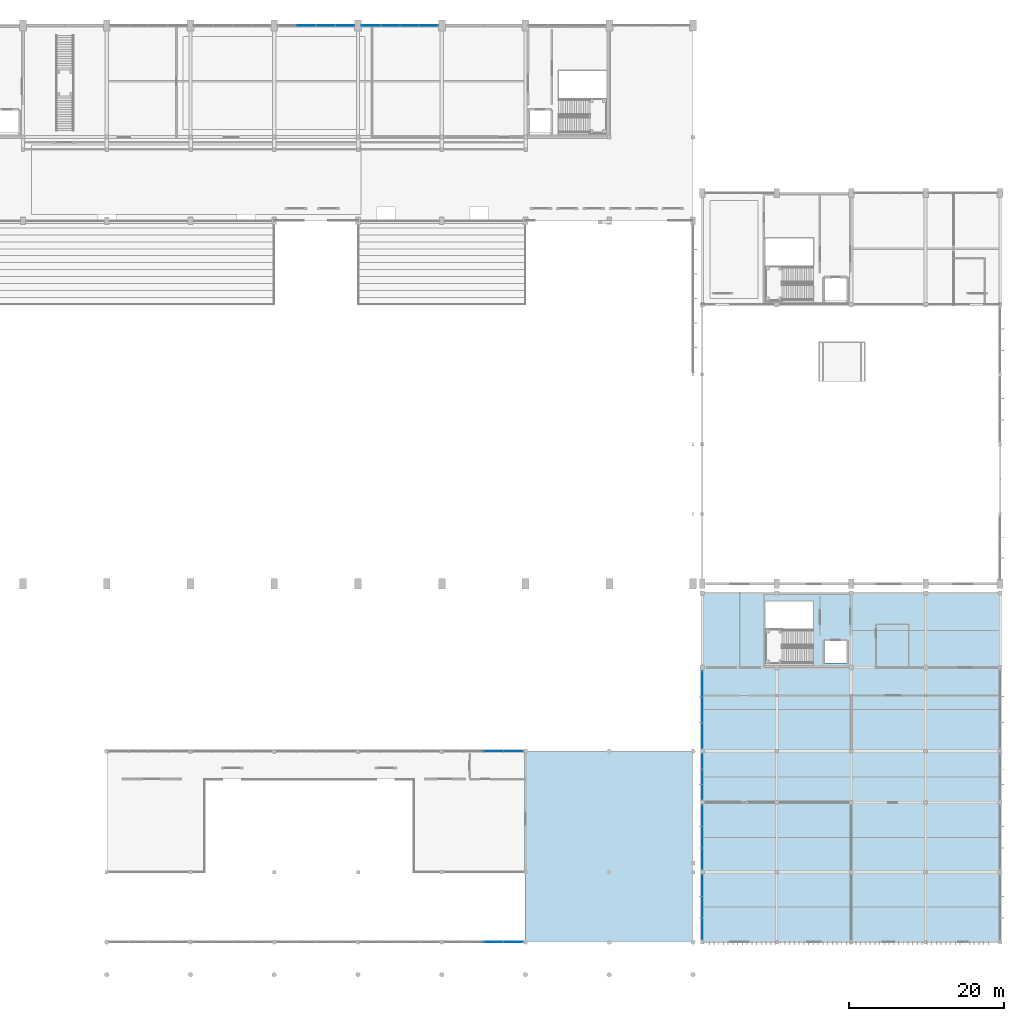
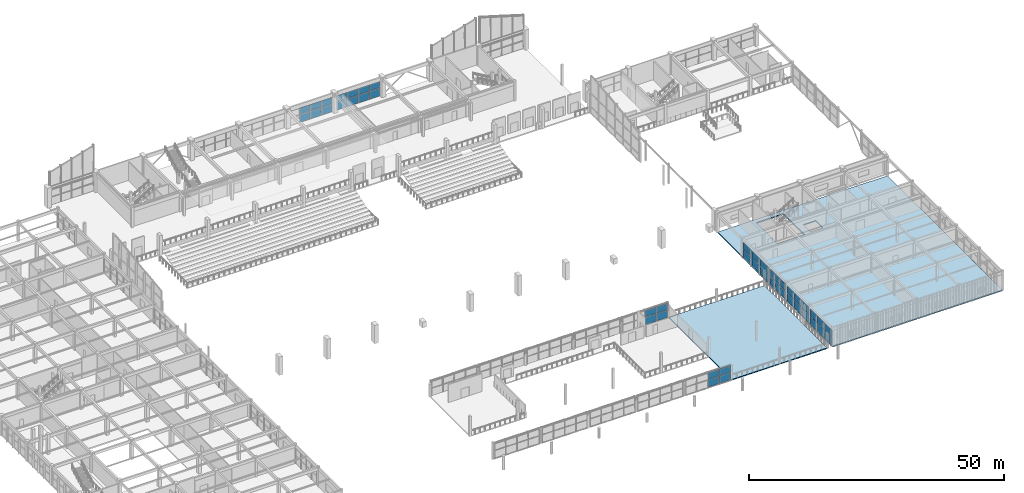
# One storey, part 44 of 74: 46 plates, 2 slabs, 8 elements without a shape of their own.
"""IFC4 building model written with IfcOpenShell, lengths in metres."""

from ifc_helpers import new_model, si_unit, direction, frame, origin, place, context, subcontext, project, spatial, polyline, outline, extrude, material, layer, layer_set, type_object, element, aggregate, save


model = new_model("IFC4")

# Units and contexts
model_context = context("Model", 3, precision=1e-05, world=origin(), true_north=direction((0.0, 1.0)))
body_context = subcontext(model_context, "Body", "Model", "MODEL_VIEW")
ifc_project = project(units=[si_unit("LENGTHUNIT", "METRE"), si_unit("AREAUNIT", "SQUARE_METRE"), si_unit("VOLUMEUNIT", "CUBIC_METRE"), si_unit("PLANEANGLEUNIT", "RADIAN"), si_unit("MASSUNIT", "GRAM", prefix="KILO")], contexts=[model_context])

# Site, building, storey
site_placement = place(None, origin())
site = spatial("IfcSite", under=ifc_project, at=site_placement, CompositionType="ELEMENT")
building_placement = place(site_placement, origin())
building = spatial("IfcBuilding", under=site, at=building_placement, Name="Suirenkawa Promenade Aquatics Centre", CompositionType="ELEMENT")
storey_placement = place(building_placement, frame((0.0, 0.0, 4.800048828125)))
storey = spatial("IfcBuildingStorey", under=building, at=storey_placement, Name="L01", CompositionType="ELEMENT", Elevation=4.800048828125)

# Curtain wall, plates
ifc_material_1 = material(Name="Anodised aluminium 6063-T6", Category="aluminium")
curtain_wall_type_1 = type_object("IfcCurtainWallType", Name="CWAT-V3SL1-24", PredefinedType="NOTDEFINED", material=ifc_material_1)
curtain_wall_1_placement = place(storey_placement, origin())
curtain_wall_1 = element("IfcCurtainWall", 1, at=curtain_wall_1_placement, inside=storey, type_object=curtain_wall_type_1, Name="Curtain wall CWA-24 CW-065", PredefinedType="NOTDEFINED")
ifc_material_2 = material(Name="Low-E thermally broken double glazing", Category="glass")
ifc_layer_1 = layer(ifc_material_2, 0.0419921875, Name="Low-E thermally broken double glazing", Category="glass")
ifc_layer_set_1 = layer_set([ifc_layer_1], Name="Low-E thermally broken double glazing")
plate_type_1 = type_object("IfcPlateType", Name="CWP-FOYER-42", PredefinedType="CURTAIN_PANEL", material=ifc_layer_set_1)
plate_1_placement = place(storey_placement, frame((132.90087890625, 4.199951171875, 0.0400390625), z_axis=(0.0, 0.0, 1.0), x_axis=(-1.0, 0.0, 0.0)))
plate_1 = element("IfcPlate", 2, at=plate_1_placement, type_object=plate_type_1, Name="Glazed panel CP-04 CWP-01313", PredefinedType="CURTAIN_PANEL", context=body_context, shape_type="SweptSolid", body=[
    extrude(outline(polyline([(0.0400390625, 0.0), (2.510498046875, 0.0), (2.510498046875, 1.81982421875), (0.0400390625, 1.81982421875), (0.0400390625, 0.0)])), frame((0.0, 0.02099609375, 0.0), z_axis=(0.0, -1.0, 0.0), x_axis=(1.0, 0.0, 0.0)), (0.0, 0.0, 1.0), 0.0419921875),
])
plate_2_placement = place(storey_placement, frame((132.90087890625, 4.199951171875, 1.93994140625), z_axis=(0.0, 0.0, 1.0), x_axis=(-1.0, 0.0, 0.0)))
plate_2 = element("IfcPlate", 3, at=plate_2_placement, type_object=plate_type_1, Name="Top glazed panel CP-04 CWP-01314", PredefinedType="CURTAIN_PANEL", context=body_context, shape_type="SweptSolid", body=[
    extrude(outline(polyline([(0.0400390625, 0.0), (2.510498046875, 0.0), (2.510498046875, 1.5400390625), (0.0400390625, 1.5400390625), (0.0400390625, 0.0)])), frame((0.0, 0.02099609375, 0.0), z_axis=(0.0, -1.0, 0.0), x_axis=(1.0, 0.0, 0.0)), (0.0, 0.0, 1.0), 0.0419921875),
])
plate_3_placement = place(storey_placement, frame((130.3505859375, 4.199951171875, 0.0400390625), z_axis=(0.0, 0.0, 1.0), x_axis=(-1.0, 0.0, 0.0)))
plate_3 = element("IfcPlate", 4, at=plate_3_placement, type_object=plate_type_1, Name="Glazed panel CP-04 CWP-01315", PredefinedType="CURTAIN_PANEL", context=body_context, shape_type="SweptSolid", body=[
    extrude(outline(polyline([(0.0400390625, 0.0), (2.510498046875, 0.0), (2.510498046875, 1.81982421875), (0.0400390625, 1.81982421875), (0.0400390625, 0.0)])), frame((0.0, 0.02099609375, 0.0), z_axis=(0.0, -1.0, 0.0), x_axis=(1.0, 0.0, 0.0)), (0.0, 0.0, 1.0), 0.0419921875),
])
plate_4_placement = place(storey_placement, frame((130.3505859375, 4.199951171875, 1.93994140625), z_axis=(0.0, 0.0, 1.0), x_axis=(-1.0, 0.0, 0.0)))
plate_4 = element("IfcPlate", 5, at=plate_4_placement, type_object=plate_type_1, Name="Top glazed panel CP-04 CWP-01316", PredefinedType="CURTAIN_PANEL", context=body_context, shape_type="SweptSolid", body=[
    extrude(outline(polyline([(0.0400390625, 0.0), (2.510498046875, 0.0), (2.510498046875, 1.5400390625), (0.0400390625, 1.5400390625), (0.0400390625, 0.0)])), frame((0.0, 0.02099609375, 0.0), z_axis=(0.0, -1.0, 0.0), x_axis=(1.0, 0.0, 0.0)), (0.0, 0.0, 1.0), 0.0419921875),
])
aggregate(curtain_wall_1, [plate_1, plate_2, plate_3, plate_4])

curtain_wall_type_2 = type_object("IfcCurtainWallType", Name="CWAT-V3NL1-25", PredefinedType="NOTDEFINED", material=ifc_material_1)
curtain_wall_2_placement = place(storey_placement, origin())
curtain_wall_2 = element("IfcCurtainWall", 6, at=curtain_wall_2_placement, inside=storey, type_object=curtain_wall_type_2, Name="Curtain wall CWA-25 CW-066", PredefinedType="NOTDEFINED")
plate_5_placement = place(storey_placement, frame((127.800048828125, 28.800048828125, 0.0400390625), z_axis=(0.0, 0.0, 1.0), x_axis=(1.0, 0.0, 0.0)))
plate_5 = element("IfcPlate", 7, at=plate_5_placement, type_object=plate_type_1, Name="Glazed panel CP-04 CWP-01339", PredefinedType="CURTAIN_PANEL", context=body_context, shape_type="SweptSolid", body=[
    extrude(outline(polyline([(0.0400390625, 0.0), (2.510498046875, 0.0), (2.510498046875, 1.81982421875), (0.0400390625, 1.81982421875), (0.0400390625, 0.0)])), frame((0.0, 0.02099609375, 0.0), z_axis=(0.0, -1.0, 0.0), x_axis=(1.0, 0.0, 0.0)), (0.0, 0.0, 1.0), 0.0419921875),
])
plate_6_placement = place(storey_placement, frame((127.800048828125, 28.800048828125, 1.93994140625), z_axis=(0.0, 0.0, 1.0), x_axis=(1.0, 0.0, 0.0)))
plate_6 = element("IfcPlate", 8, at=plate_6_placement, type_object=plate_type_1, Name="Top glazed panel CP-04 CWP-01340", PredefinedType="CURTAIN_PANEL", context=body_context, shape_type="SweptSolid", body=[
    extrude(outline(polyline([(0.0400390625, 0.0), (2.510498046875, 0.0), (2.510498046875, 1.5400390625), (0.0400390625, 1.5400390625), (0.0400390625, 0.0)])), frame((0.0, 0.02099609375, 0.0), z_axis=(0.0, -1.0, 0.0), x_axis=(1.0, 0.0, 0.0)), (0.0, 0.0, 1.0), 0.0419921875),
])
plate_7_placement = place(storey_placement, frame((130.3505859375, 28.800048828125, 0.0400390625), z_axis=(0.0, 0.0, 1.0), x_axis=(1.0, 0.0, 0.0)))
plate_7 = element("IfcPlate", 9, at=plate_7_placement, type_object=plate_type_1, Name="Glazed panel CP-04 CWP-01341", PredefinedType="CURTAIN_PANEL", context=body_context, shape_type="SweptSolid", body=[
    extrude(outline(polyline([(0.0400390625, 0.0), (2.510498046875, 0.0), (2.510498046875, 1.81982421875), (0.0400390625, 1.81982421875), (0.0400390625, 0.0)])), frame((0.0, 0.02099609375, 0.0), z_axis=(0.0, -1.0, 0.0), x_axis=(1.0, 0.0, 0.0)), (0.0, 0.0, 1.0), 0.0419921875),
])
plate_8_placement = place(storey_placement, frame((130.3505859375, 28.800048828125, 1.93994140625), z_axis=(0.0, 0.0, 1.0), x_axis=(1.0, 0.0, 0.0)))
plate_8 = element("IfcPlate", 10, at=plate_8_placement, type_object=plate_type_1, Name="Top glazed panel CP-04 CWP-01342", PredefinedType="CURTAIN_PANEL", context=body_context, shape_type="SweptSolid", body=[
    extrude(outline(polyline([(0.0400390625, 0.0), (2.510498046875, 0.0), (2.510498046875, 1.5400390625), (0.0400390625, 1.5400390625), (0.0400390625, 0.0)])), frame((0.0, 0.02099609375, 0.0), z_axis=(0.0, -1.0, 0.0), x_axis=(1.0, 0.0, 0.0)), (0.0, 0.0, 1.0), 0.0419921875),
])
aggregate(curtain_wall_2, [plate_5, plate_6, plate_7, plate_8])

curtain_wall_type_3 = type_object("IfcCurtainWallType", Name="CWAT-V1CONC-11", PredefinedType="NOTDEFINED", material=ifc_material_1)
curtain_wall_3_placement = place(storey_placement, origin())
curtain_wall_3 = element("IfcCurtainWall", 11, at=curtain_wall_3_placement, inside=storey, type_object=curtain_wall_type_3, Name="Curtain wall CWA-11 CW-024", PredefinedType="NOTDEFINED")
ifc_layer_2 = layer(ifc_material_2, 0.028076171875, Name="Low-E thermally broken double glazing", Category="glass")
ifc_layer_set_2 = layer_set([ifc_layer_2], Name="Low-E thermally broken double glazing")
plate_type_2 = type_object("IfcPlateType", Name="CWP-LOWE-28", PredefinedType="CURTAIN_PANEL", material=ifc_layer_set_2)
plate_9_placement = place(storey_placement, frame((103.724609375, 122.39990234375, 0.0400390625), z_axis=(0.0, 0.0, 1.0), x_axis=(1.0, 0.0, 0.0)))
plate_9 = element("IfcPlate", 12, at=plate_9_placement, type_object=plate_type_2, Name="Glazed panel CP-02 CWP-00515", PredefinedType="CURTAIN_PANEL", context=body_context, shape_type="SweptSolid", body=[
    extrude(outline(polyline([(0.0400390625, 0.0), (2.435546875, 0.0), (2.435546875, 1.919921875), (0.0400390625, 1.919921875), (0.0400390625, 0.0)])), frame((0.0, 0.01416015625, 0.0), z_axis=(0.0, -1.0, 0.0), x_axis=(1.0, 0.0, 0.0)), (0.0, 0.0, 1.0), 0.028076171875),
])
plate_10_placement = place(storey_placement, frame((103.724609375, 122.39990234375, 2.0400390625), z_axis=(0.0, 0.0, 1.0), x_axis=(1.0, 0.0, 0.0)))
plate_10 = element("IfcPlate", 13, at=plate_10_placement, type_object=plate_type_2, Name="Top glazed panel CP-02 CWP-00516", PredefinedType="CURTAIN_PANEL", context=body_context, shape_type="SweptSolid", body=[
    extrude(outline(polyline([(0.0400390625, 0.0), (2.435546875, 0.0), (2.435546875, 1.52490234375), (0.0400390625, 1.52490234375), (0.0400390625, 0.0)])), frame((0.0, 0.01416015625, 0.0), z_axis=(0.0, -1.0, 0.0), x_axis=(1.0, 0.0, 0.0)), (0.0, 0.0, 1.0), 0.028076171875),
])
plate_11_placement = place(storey_placement, frame((106.199951171875, 122.39990234375, 0.0400390625), z_axis=(0.0, 0.0, 1.0), x_axis=(1.0, 0.0, 0.0)))
plate_11 = element("IfcPlate", 14, at=plate_11_placement, type_object=plate_type_2, Name="Glazed panel CP-02 CWP-00517", PredefinedType="CURTAIN_PANEL", context=body_context, shape_type="SweptSolid", body=[
    extrude(outline(polyline([(0.0400390625, 0.0), (2.435546875, 0.0), (2.435546875, 1.919921875), (0.0400390625, 1.919921875), (0.0400390625, 0.0)])), frame((0.0, 0.01416015625, 0.0), z_axis=(0.0, -1.0, 0.0), x_axis=(1.0, 0.0, 0.0)), (0.0, 0.0, 1.0), 0.028076171875),
])
plate_12_placement = place(storey_placement, frame((106.199951171875, 122.39990234375, 2.0400390625), z_axis=(0.0, 0.0, 1.0), x_axis=(1.0, 0.0, 0.0)))
plate_12 = element("IfcPlate", 15, at=plate_12_placement, type_object=plate_type_2, Name="Top glazed panel CP-02 CWP-00518", PredefinedType="CURTAIN_PANEL", context=body_context, shape_type="SweptSolid", body=[
    extrude(outline(polyline([(0.0400390625, 0.0), (2.435546875, 0.0), (2.435546875, 1.52490234375), (0.0400390625, 1.52490234375), (0.0400390625, 0.0)])), frame((0.0, 0.01416015625, 0.0), z_axis=(0.0, -1.0, 0.0), x_axis=(1.0, 0.0, 0.0)), (0.0, 0.0, 1.0), 0.028076171875),
])
plate_13_placement = place(storey_placement, frame((108.675537109375, 122.39990234375, 0.0400390625), z_axis=(0.0, 0.0, 1.0), x_axis=(1.0, 0.0, 0.0)))
plate_13 = element("IfcPlate", 16, at=plate_13_placement, type_object=plate_type_2, Name="Glazed panel CP-02 CWP-00519", PredefinedType="CURTAIN_PANEL", context=body_context, shape_type="SweptSolid", body=[
    extrude(outline(polyline([(0.0400390625, 0.0), (2.435546875, 0.0), (2.435546875, 1.919921875), (0.0400390625, 1.919921875), (0.0400390625, 0.0)])), frame((0.0, 0.01416015625, 0.0), z_axis=(0.0, -1.0, 0.0), x_axis=(1.0, 0.0, 0.0)), (0.0, 0.0, 1.0), 0.028076171875),
])
plate_14_placement = place(storey_placement, frame((108.675537109375, 122.39990234375, 2.0400390625), z_axis=(0.0, 0.0, 1.0), x_axis=(1.0, 0.0, 0.0)))
plate_14 = element("IfcPlate", 17, at=plate_14_placement, type_object=plate_type_2, Name="Top glazed panel CP-02 CWP-00520", PredefinedType="CURTAIN_PANEL", context=body_context, shape_type="SweptSolid", body=[
    extrude(outline(polyline([(0.0400390625, 0.0), (2.435546875, 0.0), (2.435546875, 1.52490234375), (0.0400390625, 1.52490234375), (0.0400390625, 0.0)])), frame((0.0, 0.01416015625, 0.0), z_axis=(0.0, -1.0, 0.0), x_axis=(1.0, 0.0, 0.0)), (0.0, 0.0, 1.0), 0.028076171875),
])
aggregate(curtain_wall_3, [plate_9, plate_10, plate_11, plate_12, plate_13, plate_14])

curtain_wall_4_placement = place(storey_placement, origin())
curtain_wall_4 = element("IfcCurtainWall", 18, at=curtain_wall_4_placement, inside=storey, type_object=curtain_wall_type_3, Name="Curtain wall CWA-11 CW-027", PredefinedType="NOTDEFINED")
plate_15_placement = place(storey_placement, frame((112.049072265625, 122.39990234375, 0.0400390625), z_axis=(0.0, 0.0, 1.0), x_axis=(1.0, 0.0, 0.0)))
plate_15 = element("IfcPlate", 19, at=plate_15_placement, type_object=plate_type_2, Name="Glazed panel CP-02 CWP-00573", PredefinedType="CURTAIN_PANEL", context=body_context, shape_type="SweptSolid", body=[
    extrude(outline(polyline([(0.0400390625, 0.0), (2.435546875, 0.0), (2.435546875, 1.919921875), (0.0400390625, 1.919921875), (0.0400390625, 0.0)])), frame((0.0, 0.01416015625, 0.0), z_axis=(0.0, -1.0, 0.0), x_axis=(1.0, 0.0, 0.0)), (0.0, 0.0, 1.0), 0.028076171875),
])
plate_16_placement = place(storey_placement, frame((112.049072265625, 122.39990234375, 2.0400390625), z_axis=(0.0, 0.0, 1.0), x_axis=(1.0, 0.0, 0.0)))
plate_16 = element("IfcPlate", 20, at=plate_16_placement, type_object=plate_type_2, Name="Top glazed panel CP-02 CWP-00574", PredefinedType="CURTAIN_PANEL", context=body_context, shape_type="SweptSolid", body=[
    extrude(outline(polyline([(0.0400390625, 0.0), (2.435546875, 0.0), (2.435546875, 1.52490234375), (0.0400390625, 1.52490234375), (0.0400390625, 0.0)])), frame((0.0, 0.01416015625, 0.0), z_axis=(0.0, -1.0, 0.0), x_axis=(1.0, 0.0, 0.0)), (0.0, 0.0, 1.0), 0.028076171875),
])
plate_17_placement = place(storey_placement, frame((114.5244140625, 122.39990234375, 0.0400390625), z_axis=(0.0, 0.0, 1.0), x_axis=(1.0, 0.0, 0.0)))
plate_17 = element("IfcPlate", 21, at=plate_17_placement, type_object=plate_type_2, Name="Glazed panel CP-02 CWP-00575", PredefinedType="CURTAIN_PANEL", context=body_context, shape_type="SweptSolid", body=[
    extrude(outline(polyline([(0.0400390625, 0.0), (2.435546875, 0.0), (2.435546875, 1.919921875), (0.0400390625, 1.919921875), (0.0400390625, 0.0)])), frame((0.0, 0.01416015625, 0.0), z_axis=(0.0, -1.0, 0.0), x_axis=(1.0, 0.0, 0.0)), (0.0, 0.0, 1.0), 0.028076171875),
])
plate_18_placement = place(storey_placement, frame((114.5244140625, 122.39990234375, 2.0400390625), z_axis=(0.0, 0.0, 1.0), x_axis=(1.0, 0.0, 0.0)))
plate_18 = element("IfcPlate", 22, at=plate_18_placement, type_object=plate_type_2, Name="Top glazed panel CP-02 CWP-00576", PredefinedType="CURTAIN_PANEL", context=body_context, shape_type="SweptSolid", body=[
    extrude(outline(polyline([(0.0400390625, 0.0), (2.435546875, 0.0), (2.435546875, 1.52490234375), (0.0400390625, 1.52490234375), (0.0400390625, 0.0)])), frame((0.0, 0.01416015625, 0.0), z_axis=(0.0, -1.0, 0.0), x_axis=(1.0, 0.0, 0.0)), (0.0, 0.0, 1.0), 0.028076171875),
])
plate_19_placement = place(storey_placement, frame((117.0, 122.39990234375, 0.0400390625), z_axis=(0.0, 0.0, 1.0), x_axis=(1.0, 0.0, 0.0)))
plate_19 = element("IfcPlate", 23, at=plate_19_placement, type_object=plate_type_2, Name="Glazed panel CP-02 CWP-00577", PredefinedType="CURTAIN_PANEL", context=body_context, shape_type="SweptSolid", body=[
    extrude(outline(polyline([(0.0400390625, 0.0), (2.435546875, 0.0), (2.435546875, 1.919921875), (0.0400390625, 1.919921875), (0.0400390625, 0.0)])), frame((0.0, 0.01416015625, 0.0), z_axis=(0.0, -1.0, 0.0), x_axis=(1.0, 0.0, 0.0)), (0.0, 0.0, 1.0), 0.028076171875),
])
plate_20_placement = place(storey_placement, frame((117.0, 122.39990234375, 2.0400390625), z_axis=(0.0, 0.0, 1.0), x_axis=(1.0, 0.0, 0.0)))
plate_20 = element("IfcPlate", 24, at=plate_20_placement, type_object=plate_type_2, Name="Top glazed panel CP-02 CWP-00578", PredefinedType="CURTAIN_PANEL", context=body_context, shape_type="SweptSolid", body=[
    extrude(outline(polyline([(0.0400390625, 0.0), (2.435546875, 0.0), (2.435546875, 1.52490234375), (0.0400390625, 1.52490234375), (0.0400390625, 0.0)])), frame((0.0, 0.01416015625, 0.0), z_axis=(0.0, -1.0, 0.0), x_axis=(1.0, 0.0, 0.0)), (0.0, 0.0, 1.0), 0.028076171875),
])
plate_21_placement = place(storey_placement, frame((119.4755859375, 122.39990234375, 0.0400390625), z_axis=(0.0, 0.0, 1.0), x_axis=(1.0, 0.0, 0.0)))
plate_21 = element("IfcPlate", 25, at=plate_21_placement, type_object=plate_type_2, Name="Glazed panel CP-02 CWP-00579", PredefinedType="CURTAIN_PANEL", context=body_context, shape_type="SweptSolid", body=[
    extrude(outline(polyline([(0.0400390625, 0.0), (2.435546875, 0.0), (2.435546875, 1.919921875), (0.0400390625, 1.919921875), (0.0400390625, 0.0)])), frame((0.0, 0.01416015625, 0.0), z_axis=(0.0, -1.0, 0.0), x_axis=(1.0, 0.0, 0.0)), (0.0, 0.0, 1.0), 0.028076171875),
])
plate_22_placement = place(storey_placement, frame((119.4755859375, 122.39990234375, 2.0400390625), z_axis=(0.0, 0.0, 1.0), x_axis=(1.0, 0.0, 0.0)))
plate_22 = element("IfcPlate", 26, at=plate_22_placement, type_object=plate_type_2, Name="Top glazed panel CP-02 CWP-00580", PredefinedType="CURTAIN_PANEL", context=body_context, shape_type="SweptSolid", body=[
    extrude(outline(polyline([(0.0400390625, 0.0), (2.435546875, 0.0), (2.435546875, 1.52490234375), (0.0400390625, 1.52490234375), (0.0400390625, 0.0)])), frame((0.0, 0.01416015625, 0.0), z_axis=(0.0, -1.0, 0.0), x_axis=(1.0, 0.0, 0.0)), (0.0, 0.0, 1.0), 0.028076171875),
])
aggregate(curtain_wall_4, [plate_15, plate_16, plate_17, plate_18, plate_19, plate_20, plate_21, plate_22])

curtain_wall_type_4 = type_object("IfcCurtainWallType", Name="CWAT-V4WL01-28", PredefinedType="NOTDEFINED", material=ifc_material_1)
curtain_wall_5_placement = place(storey_placement, origin())
curtain_wall_5 = element("IfcCurtainWall", 27, at=curtain_wall_5_placement, inside=storey, type_object=curtain_wall_type_4, Name="Curtain wall CWA-28 CW-071", PredefinedType="NOTDEFINED")
plate_23_placement = place(storey_placement, frame((156.0, 4.4990234375, 0.0400390625), z_axis=(0.0, 0.0, 1.0), x_axis=(0.0, 1.0, 0.0)))
plate_23 = element("IfcPlate", 28, at=plate_23_placement, type_object=plate_type_2, Name="Glazed panel CP-02 CWP-01442", PredefinedType="CURTAIN_PANEL", context=body_context, shape_type="SweptSolid", body=[
    extrude(outline(polyline([(0.0400390625, 0.0), (2.743896484375, 0.0), (2.743896484375, 1.919921875), (0.0400390625, 1.919921875), (0.0400390625, 0.0)])), frame((0.0, 0.01416015625, 0.0), z_axis=(0.0, -1.0, 0.0), x_axis=(1.0, 0.0, 0.0)), (0.0, 0.0, 1.0), 0.028076171875),
])
plate_24_placement = place(storey_placement, frame((156.0, 4.4990234375, 2.0400390625), z_axis=(0.0, 0.0, 1.0), x_axis=(0.0, 1.0, 0.0)))
plate_24 = element("IfcPlate", 29, at=plate_24_placement, type_object=plate_type_2, Name="Top glazed panel CP-02 CWP-01443", PredefinedType="CURTAIN_PANEL", context=body_context, shape_type="SweptSolid", body=[
    extrude(outline(polyline([(0.0400390625, 0.0), (2.743896484375, 0.0), (2.743896484375, 1.639892578125), (0.0400390625, 1.639892578125), (0.0400390625, 0.0)])), frame((0.0, 0.01416015625, 0.0), z_axis=(0.0, -1.0, 0.0), x_axis=(1.0, 0.0, 0.0)), (0.0, 0.0, 1.0), 0.028076171875),
])
plate_25_placement = place(storey_placement, frame((156.0, 7.282958984375, 0.0400390625), z_axis=(0.0, 0.0, 1.0), x_axis=(0.0, 1.0, 0.0)))
plate_25 = element("IfcPlate", 30, at=plate_25_placement, type_object=plate_type_2, Name="Glazed panel CP-02 CWP-01444", PredefinedType="CURTAIN_PANEL", context=body_context, shape_type="SweptSolid", body=[
    extrude(outline(polyline([(0.0400390625, 0.0), (2.743896484375, 0.0), (2.743896484375, 1.919921875), (0.0400390625, 1.919921875), (0.0400390625, 0.0)])), frame((0.0, 0.01416015625, 0.0), z_axis=(0.0, -1.0, 0.0), x_axis=(1.0, 0.0, 0.0)), (0.0, 0.0, 1.0), 0.028076171875),
])
plate_26_placement = place(storey_placement, frame((156.0, 7.282958984375, 2.0400390625), z_axis=(0.0, 0.0, 1.0), x_axis=(0.0, 1.0, 0.0)))
plate_26 = element("IfcPlate", 31, at=plate_26_placement, type_object=plate_type_2, Name="Top glazed panel CP-02 CWP-01445", PredefinedType="CURTAIN_PANEL", context=body_context, shape_type="SweptSolid", body=[
    extrude(outline(polyline([(0.0400390625, 0.0), (2.743896484375, 0.0), (2.743896484375, 1.639892578125), (0.0400390625, 1.639892578125), (0.0400390625, 0.0)])), frame((0.0, 0.01416015625, 0.0), z_axis=(0.0, -1.0, 0.0), x_axis=(1.0, 0.0, 0.0)), (0.0, 0.0, 1.0), 0.028076171875),
])
plate_27_placement = place(storey_placement, frame((156.0, 10.06689453125, 0.0400390625), z_axis=(0.0, 0.0, 1.0), x_axis=(0.0, 1.0, 0.0)))
plate_27 = element("IfcPlate", 32, at=plate_27_placement, type_object=plate_type_2, Name="Glazed panel CP-02 CWP-01446", PredefinedType="CURTAIN_PANEL", context=body_context, shape_type="SweptSolid", body=[
    extrude(outline(polyline([(0.0400390625, 0.0), (2.743896484375, 0.0), (2.743896484375, 1.919921875), (0.0400390625, 1.919921875), (0.0400390625, 0.0)])), frame((0.0, 0.01416015625, 0.0), z_axis=(0.0, -1.0, 0.0), x_axis=(1.0, 0.0, 0.0)), (0.0, 0.0, 1.0), 0.028076171875),
])
plate_28_placement = place(storey_placement, frame((156.0, 10.06689453125, 2.0400390625), z_axis=(0.0, 0.0, 1.0), x_axis=(0.0, 1.0, 0.0)))
plate_28 = element("IfcPlate", 33, at=plate_28_placement, type_object=plate_type_2, Name="Top glazed panel CP-02 CWP-01447", PredefinedType="CURTAIN_PANEL", context=body_context, shape_type="SweptSolid", body=[
    extrude(outline(polyline([(0.0400390625, 0.0), (2.743896484375, 0.0), (2.743896484375, 1.639892578125), (0.0400390625, 1.639892578125), (0.0400390625, 0.0)])), frame((0.0, 0.01416015625, 0.0), z_axis=(0.0, -1.0, 0.0), x_axis=(1.0, 0.0, 0.0)), (0.0, 0.0, 1.0), 0.028076171875),
])
aggregate(curtain_wall_5, [plate_23, plate_24, plate_25, plate_26, plate_27, plate_28])

curtain_wall_type_5 = type_object("IfcCurtainWallType", Name="CWAT-V4WL01-30", PredefinedType="NOTDEFINED", material=ifc_material_1)
curtain_wall_6_placement = place(storey_placement, origin())
curtain_wall_6 = element("IfcCurtainWall", 34, at=curtain_wall_6_placement, inside=storey, type_object=curtain_wall_type_5, Name="Curtain wall CWA-30 CW-073", PredefinedType="NOTDEFINED")
plate_29_placement = place(storey_placement, frame((156.0, 13.549072265625, 0.0400390625), z_axis=(0.0, 0.0, 1.0), x_axis=(0.0, 1.0, 0.0)))
plate_29 = element("IfcPlate", 35, at=plate_29_placement, type_object=plate_type_2, Name="Glazed panel CP-02 CWP-01476", PredefinedType="CURTAIN_PANEL", context=body_context, shape_type="SweptSolid", body=[
    extrude(outline(polyline([(0.0400390625, 0.0), (2.727294921875, 0.0), (2.727294921875, 1.919921875), (0.0400390625, 1.919921875), (0.0400390625, 0.0)])), frame((0.0, 0.01416015625, 0.0), z_axis=(0.0, -1.0, 0.0), x_axis=(1.0, 0.0, 0.0)), (0.0, 0.0, 1.0), 0.028076171875),
])
plate_30_placement = place(storey_placement, frame((156.0, 13.549072265625, 2.0400390625), z_axis=(0.0, 0.0, 1.0), x_axis=(0.0, 1.0, 0.0)))
plate_30 = element("IfcPlate", 36, at=plate_30_placement, type_object=plate_type_2, Name="Top glazed panel CP-02 CWP-01477", PredefinedType="CURTAIN_PANEL", context=body_context, shape_type="SweptSolid", body=[
    extrude(outline(polyline([(0.0400390625, 0.0), (2.727294921875, 0.0), (2.727294921875, 1.639892578125), (0.0400390625, 1.639892578125), (0.0400390625, 0.0)])), frame((0.0, 0.01416015625, 0.0), z_axis=(0.0, -1.0, 0.0), x_axis=(1.0, 0.0, 0.0)), (0.0, 0.0, 1.0), 0.028076171875),
])
plate_31_placement = place(storey_placement, frame((156.0, 16.31640625, 0.0400390625), z_axis=(0.0, 0.0, 1.0), x_axis=(0.0, 1.0, 0.0)))
plate_31 = element("IfcPlate", 37, at=plate_31_placement, type_object=plate_type_2, Name="Glazed panel CP-02 CWP-01478", PredefinedType="CURTAIN_PANEL", context=body_context, shape_type="SweptSolid", body=[
    extrude(outline(polyline([(0.0400390625, 0.0), (2.727294921875, 0.0), (2.727294921875, 1.919921875), (0.0400390625, 1.919921875), (0.0400390625, 0.0)])), frame((0.0, 0.01416015625, 0.0), z_axis=(0.0, -1.0, 0.0), x_axis=(1.0, 0.0, 0.0)), (0.0, 0.0, 1.0), 0.028076171875),
])
plate_32_placement = place(storey_placement, frame((156.0, 16.31640625, 2.0400390625), z_axis=(0.0, 0.0, 1.0), x_axis=(0.0, 1.0, 0.0)))
plate_32 = element("IfcPlate", 38, at=plate_32_placement, type_object=plate_type_2, Name="Top glazed panel CP-02 CWP-01479", PredefinedType="CURTAIN_PANEL", context=body_context, shape_type="SweptSolid", body=[
    extrude(outline(polyline([(0.0400390625, 0.0), (2.727294921875, 0.0), (2.727294921875, 1.639892578125), (0.0400390625, 1.639892578125), (0.0400390625, 0.0)])), frame((0.0, 0.01416015625, 0.0), z_axis=(0.0, -1.0, 0.0), x_axis=(1.0, 0.0, 0.0)), (0.0, 0.0, 1.0), 0.028076171875),
])
plate_33_placement = place(storey_placement, frame((156.0, 19.083740234375, 0.0400390625), z_axis=(0.0, 0.0, 1.0), x_axis=(0.0, 1.0, 0.0)))
plate_33 = element("IfcPlate", 39, at=plate_33_placement, type_object=plate_type_2, Name="Glazed panel CP-02 CWP-01480", PredefinedType="CURTAIN_PANEL", context=body_context, shape_type="SweptSolid", body=[
    extrude(outline(polyline([(0.0400390625, 0.0), (2.727294921875, 0.0), (2.727294921875, 1.919921875), (0.0400390625, 1.919921875), (0.0400390625, 0.0)])), frame((0.0, 0.01416015625, 0.0), z_axis=(0.0, -1.0, 0.0), x_axis=(1.0, 0.0, 0.0)), (0.0, 0.0, 1.0), 0.028076171875),
])
plate_34_placement = place(storey_placement, frame((156.0, 19.083740234375, 2.0400390625), z_axis=(0.0, 0.0, 1.0), x_axis=(0.0, 1.0, 0.0)))
plate_34 = element("IfcPlate", 40, at=plate_34_placement, type_object=plate_type_2, Name="Top glazed panel CP-02 CWP-01481", PredefinedType="CURTAIN_PANEL", context=body_context, shape_type="SweptSolid", body=[
    extrude(outline(polyline([(0.0400390625, 0.0), (2.727294921875, 0.0), (2.727294921875, 1.639892578125), (0.0400390625, 1.639892578125), (0.0400390625, 0.0)])), frame((0.0, 0.01416015625, 0.0), z_axis=(0.0, -1.0, 0.0), x_axis=(1.0, 0.0, 0.0)), (0.0, 0.0, 1.0), 0.028076171875),
])
aggregate(curtain_wall_6, [plate_29, plate_30, plate_31, plate_32, plate_33, plate_34])

curtain_wall_type_6 = type_object("IfcCurtainWallType", Name="CWAT-V4WL01-32", PredefinedType="NOTDEFINED", material=ifc_material_1)
curtain_wall_7_placement = place(storey_placement, origin())
curtain_wall_7 = element("IfcCurtainWall", 41, at=curtain_wall_7_placement, inside=storey, type_object=curtain_wall_type_6, Name="Curtain wall CWA-32 CW-075", PredefinedType="NOTDEFINED")
plate_35_placement = place(storey_placement, frame((156.0, 22.549072265625, 0.0400390625), z_axis=(0.0, 0.0, 1.0), x_axis=(0.0, 1.0, 0.0)))
plate_35 = element("IfcPlate", 42, at=plate_35_placement, type_object=plate_type_2, Name="Glazed panel CP-02 CWP-01510", PredefinedType="CURTAIN_PANEL", context=body_context, shape_type="SweptSolid", body=[
    extrude(outline(polyline([(0.0400390625, 0.0), (1.92724609375, 0.0), (1.92724609375, 1.919921875), (0.0400390625, 1.919921875), (0.0400390625, 0.0)])), frame((0.0, 0.01416015625, 0.0), z_axis=(0.0, -1.0, 0.0), x_axis=(1.0, 0.0, 0.0)), (0.0, 0.0, 1.0), 0.028076171875),
])
plate_36_placement = place(storey_placement, frame((156.0, 22.549072265625, 2.0400390625), z_axis=(0.0, 0.0, 1.0), x_axis=(0.0, 1.0, 0.0)))
plate_36 = element("IfcPlate", 43, at=plate_36_placement, type_object=plate_type_2, Name="Top glazed panel CP-02 CWP-01511", PredefinedType="CURTAIN_PANEL", context=body_context, shape_type="SweptSolid", body=[
    extrude(outline(polyline([(0.0400390625, 0.0), (1.92724609375, 0.0), (1.92724609375, 1.639892578125), (0.0400390625, 1.639892578125), (0.0400390625, 0.0)])), frame((0.0, 0.01416015625, 0.0), z_axis=(0.0, -1.0, 0.0), x_axis=(1.0, 0.0, 0.0)), (0.0, 0.0, 1.0), 0.028076171875),
])
plate_37_placement = place(storey_placement, frame((156.0, 24.516357421875, 0.0400390625), z_axis=(0.0, 0.0, 1.0), x_axis=(0.0, 1.0, 0.0)))
plate_37 = element("IfcPlate", 44, at=plate_37_placement, type_object=plate_type_2, Name="Glazed panel CP-02 CWP-01512", PredefinedType="CURTAIN_PANEL", context=body_context, shape_type="SweptSolid", body=[
    extrude(outline(polyline([(0.0400390625, 0.0), (1.92724609375, 0.0), (1.92724609375, 1.919921875), (0.0400390625, 1.919921875), (0.0400390625, 0.0)])), frame((0.0, 0.01416015625, 0.0), z_axis=(0.0, -1.0, 0.0), x_axis=(1.0, 0.0, 0.0)), (0.0, 0.0, 1.0), 0.028076171875),
])
plate_38_placement = place(storey_placement, frame((156.0, 24.516357421875, 2.0400390625), z_axis=(0.0, 0.0, 1.0), x_axis=(0.0, 1.0, 0.0)))
plate_38 = element("IfcPlate", 45, at=plate_38_placement, type_object=plate_type_2, Name="Top glazed panel CP-02 CWP-01513", PredefinedType="CURTAIN_PANEL", context=body_context, shape_type="SweptSolid", body=[
    extrude(outline(polyline([(0.0400390625, 0.0), (1.92724609375, 0.0), (1.92724609375, 1.639892578125), (0.0400390625, 1.639892578125), (0.0400390625, 0.0)])), frame((0.0, 0.01416015625, 0.0), z_axis=(0.0, -1.0, 0.0), x_axis=(1.0, 0.0, 0.0)), (0.0, 0.0, 1.0), 0.028076171875),
])
plate_39_placement = place(storey_placement, frame((156.0, 26.483642578125, 0.0400390625), z_axis=(0.0, 0.0, 1.0), x_axis=(0.0, 1.0, 0.0)))
plate_39 = element("IfcPlate", 46, at=plate_39_placement, type_object=plate_type_2, Name="Glazed panel CP-02 CWP-01514", PredefinedType="CURTAIN_PANEL", context=body_context, shape_type="SweptSolid", body=[
    extrude(outline(polyline([(0.0400390625, 0.0), (1.92724609375, 0.0), (1.92724609375, 1.919921875), (0.0400390625, 1.919921875), (0.0400390625, 0.0)])), frame((0.0, 0.01416015625, 0.0), z_axis=(0.0, -1.0, 0.0), x_axis=(1.0, 0.0, 0.0)), (0.0, 0.0, 1.0), 0.028076171875),
])
plate_40_placement = place(storey_placement, frame((156.0, 26.483642578125, 2.0400390625), z_axis=(0.0, 0.0, 1.0), x_axis=(0.0, 1.0, 0.0)))
plate_40 = element("IfcPlate", 47, at=plate_40_placement, type_object=plate_type_2, Name="Top glazed panel CP-02 CWP-01515", PredefinedType="CURTAIN_PANEL", context=body_context, shape_type="SweptSolid", body=[
    extrude(outline(polyline([(0.0400390625, 0.0), (1.92724609375, 0.0), (1.92724609375, 1.639892578125), (0.0400390625, 1.639892578125), (0.0400390625, 0.0)])), frame((0.0, 0.01416015625, 0.0), z_axis=(0.0, -1.0, 0.0), x_axis=(1.0, 0.0, 0.0)), (0.0, 0.0, 1.0), 0.028076171875),
])
aggregate(curtain_wall_7, [plate_35, plate_36, plate_37, plate_38, plate_39, plate_40])

curtain_wall_type_7 = type_object("IfcCurtainWallType", Name="CWAT-V4WL01-34", PredefinedType="NOTDEFINED", material=ifc_material_1)
curtain_wall_8_placement = place(storey_placement, origin())
curtain_wall_8 = element("IfcCurtainWall", 48, at=curtain_wall_8_placement, inside=storey, type_object=curtain_wall_type_7, Name="Curtain wall CWA-34 CW-077", PredefinedType="NOTDEFINED")
plate_41_placement = place(storey_placement, frame((156.0, 29.14892578125, 0.0400390625), z_axis=(0.0, 0.0, 1.0), x_axis=(0.0, 1.0, 0.0)))
plate_41 = element("IfcPlate", 49, at=plate_41_placement, type_object=plate_type_2, Name="Glazed panel CP-02 CWP-01544", PredefinedType="CURTAIN_PANEL", context=body_context, shape_type="SweptSolid", body=[
    extrude(outline(polyline([(0.0400390625, 0.0), (3.2939453125, 0.0), (3.2939453125, 1.919921875), (0.0400390625, 1.919921875), (0.0400390625, 0.0)])), frame((0.0, 0.01416015625, 0.0), z_axis=(0.0, -1.0, 0.0), x_axis=(1.0, 0.0, 0.0)), (0.0, 0.0, 1.0), 0.028076171875),
])
plate_42_placement = place(storey_placement, frame((156.0, 29.14892578125, 2.0400390625), z_axis=(0.0, 0.0, 1.0), x_axis=(0.0, 1.0, 0.0)))
plate_42 = element("IfcPlate", 50, at=plate_42_placement, type_object=plate_type_2, Name="Top glazed panel CP-02 CWP-01545", PredefinedType="CURTAIN_PANEL", context=body_context, shape_type="SweptSolid", body=[
    extrude(outline(polyline([(0.0400390625, 0.0), (3.2939453125, 0.0), (3.2939453125, 1.639892578125), (0.0400390625, 1.639892578125), (0.0400390625, 0.0)])), frame((0.0, 0.01416015625, 0.0), z_axis=(0.0, -1.0, 0.0), x_axis=(1.0, 0.0, 0.0)), (0.0, 0.0, 1.0), 0.028076171875),
])
plate_43_placement = place(storey_placement, frame((156.0, 32.48291015625, 0.0400390625), z_axis=(0.0, 0.0, 1.0), x_axis=(0.0, 1.0, 0.0)))
plate_43 = element("IfcPlate", 51, at=plate_43_placement, type_object=plate_type_2, Name="Glazed panel CP-02 CWP-01546", PredefinedType="CURTAIN_PANEL", context=body_context, shape_type="SweptSolid", body=[
    extrude(outline(polyline([(0.0400390625, 0.0), (3.2939453125, 0.0), (3.2939453125, 1.919921875), (0.0400390625, 1.919921875), (0.0400390625, 0.0)])), frame((0.0, 0.01416015625, 0.0), z_axis=(0.0, -1.0, 0.0), x_axis=(1.0, 0.0, 0.0)), (0.0, 0.0, 1.0), 0.028076171875),
])
plate_44_placement = place(storey_placement, frame((156.0, 32.48291015625, 2.0400390625), z_axis=(0.0, 0.0, 1.0), x_axis=(0.0, 1.0, 0.0)))
plate_44 = element("IfcPlate", 52, at=plate_44_placement, type_object=plate_type_2, Name="Top glazed panel CP-02 CWP-01547", PredefinedType="CURTAIN_PANEL", context=body_context, shape_type="SweptSolid", body=[
    extrude(outline(polyline([(0.0400390625, 0.0), (3.2939453125, 0.0), (3.2939453125, 1.639892578125), (0.0400390625, 1.639892578125), (0.0400390625, 0.0)])), frame((0.0, 0.01416015625, 0.0), z_axis=(0.0, -1.0, 0.0), x_axis=(1.0, 0.0, 0.0)), (0.0, 0.0, 1.0), 0.028076171875),
])
plate_45_placement = place(storey_placement, frame((156.0, 35.81689453125, 0.0400390625), z_axis=(0.0, 0.0, 1.0), x_axis=(0.0, 1.0, 0.0)))
plate_45 = element("IfcPlate", 53, at=plate_45_placement, type_object=plate_type_2, Name="Glazed panel CP-02 CWP-01548", PredefinedType="CURTAIN_PANEL", context=body_context, shape_type="SweptSolid", body=[
    extrude(outline(polyline([(0.0400390625, 0.0), (3.2939453125, 0.0), (3.2939453125, 1.919921875), (0.0400390625, 1.919921875), (0.0400390625, 0.0)])), frame((0.0, 0.01416015625, 0.0), z_axis=(0.0, -1.0, 0.0), x_axis=(1.0, 0.0, 0.0)), (0.0, 0.0, 1.0), 0.028076171875),
])
plate_46_placement = place(storey_placement, frame((156.0, 35.81689453125, 2.0400390625), z_axis=(0.0, 0.0, 1.0), x_axis=(0.0, 1.0, 0.0)))
plate_46 = element("IfcPlate", 54, at=plate_46_placement, type_object=plate_type_2, Name="Top glazed panel CP-02 CWP-01549", PredefinedType="CURTAIN_PANEL", context=body_context, shape_type="SweptSolid", body=[
    extrude(outline(polyline([(0.0400390625, 0.0), (3.2939453125, 0.0), (3.2939453125, 1.639892578125), (0.0400390625, 1.639892578125), (0.0400390625, 0.0)])), frame((0.0, 0.01416015625, 0.0), z_axis=(0.0, -1.0, 0.0), x_axis=(1.0, 0.0, 0.0)), (0.0, 0.0, 1.0), 0.028076171875),
])
aggregate(curtain_wall_8, [plate_41, plate_42, plate_43, plate_44, plate_45, plate_46])

# Slabs
ifc_material_3 = material(Name="Waterproof concrete M40", Category="concrete")
ifc_layer_3 = layer(ifc_material_3, 0.219970703125, Name="Waterproof concrete M40", Category="concrete")
ifc_layer_set_3 = layer_set([ifc_layer_3], Name="Waterproof concrete M40")
slab_type_1 = type_object("IfcSlabType", Name="SLT-TERR-220", PredefinedType="FLOOR", material=ifc_layer_set_3)
slab_1_placement = place(storey_placement, frame((0.0, 0.0, -0.219970703125)))
element("IfcSlab", 55, at=slab_1_placement, inside=storey, type_object=slab_type_1, Name="V3 cafe viewing terrace SL-EXT-01 SL-0054", PredefinedType="FLOOR", context=body_context, shape_type="SweptSolid", body=[
    extrude(outline(polyline([(133.199951171875, 4.199951171875), (154.800048828125, 4.199951171875), (154.800048828125, 28.800048828125), (133.199951171875, 28.800048828125), (133.199951171875, 4.199951171875)])), origin(), (0.0, 0.0, 1.0), 0.219970703125),
])
ifc_material_4 = material(Name="Concrete M35", Category="concrete")
ifc_layer_4 = layer(ifc_material_4, 0.260009765625, Name="Concrete M35", Category="concrete")
ifc_layer_set_4 = layer_set([ifc_layer_4], Name="Concrete M35")
slab_type_2 = type_object("IfcSlabType", Name="SLT-WELL-260", PredefinedType="FLOOR", material=ifc_layer_set_4)
slab_2_placement = place(storey_placement, frame((0.0, 0.0, -0.260009765625)))
element("IfcSlab", 56, at=slab_2_placement, inside=storey, type_object=slab_type_2, Name="V4 pavilion floor L01 SL-FLR-04 SL-0056", PredefinedType="FLOOR", context=body_context, shape_type="SweptSolid", body=[
    extrude(outline(polyline([(156.0, 4.199951171875), (194.39990234375, 4.199951171875), (194.39990234375, 49.199951171875), (156.0, 49.199951171875), (156.0, 4.199951171875)]), holes=[polyline([(164.159912109375, 39.9599609375), (170.300048828125, 39.9599609375), (170.300048828125, 48.159912109375), (164.159912109375, 48.159912109375), (164.159912109375, 39.9599609375)]), polyline([(171.800048828125, 40.199951171875), (174.60009765625, 40.199951171875), (174.60009765625, 43.0), (171.800048828125, 43.0), (171.800048828125, 40.199951171875)])]), origin(), (0.0, 0.0, 1.0), 0.260009765625),
])

save(model, "model.ifc")
